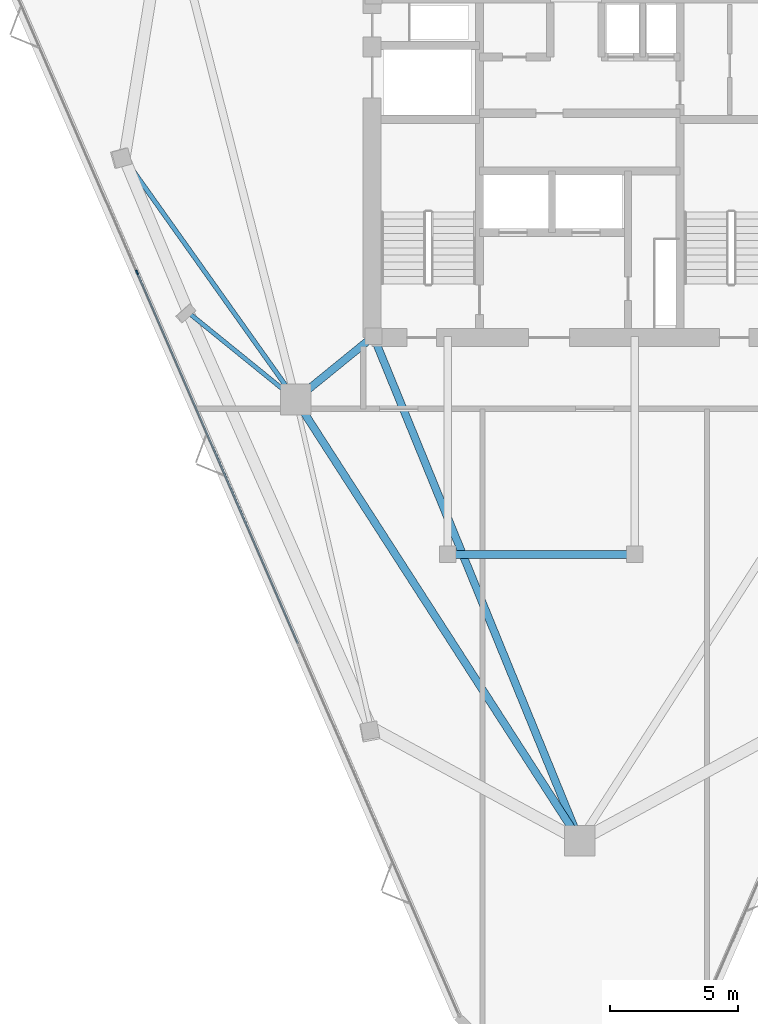
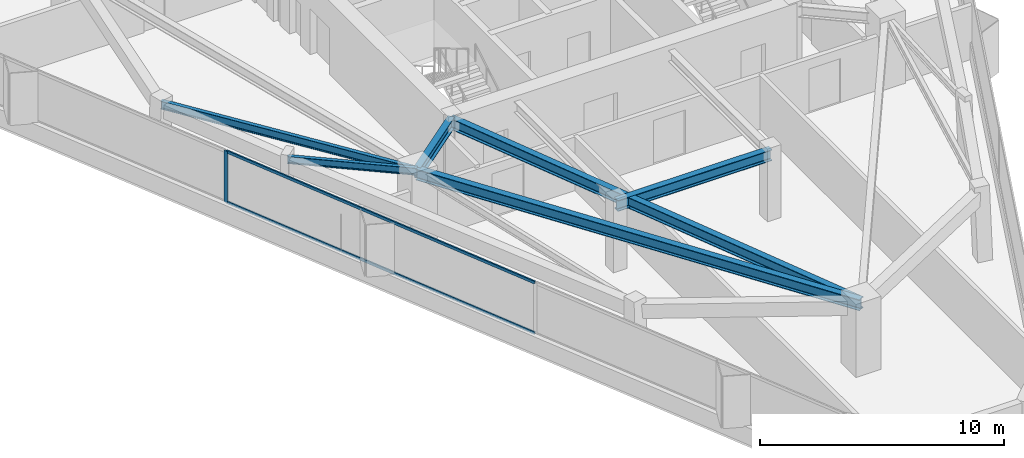
# One storey, part 3 of 11: 6 beams, 3 members, 1 element without a shape of its own.
"""IFC4 building model written with IfcOpenShell, lengths in metres."""

from ifc_helpers import new_model, si_unit, direction, frame, origin, origin_2d, place, context, subcontext, project, spatial, rectangle, i_section, extrude, material, layer, layer_set, material_profile, profile_set, type_object, element, aggregate, save


model = new_model("IFC4")

# Units and contexts
model_context = context("Model", 3, precision=1e-05, world=origin(), true_north=direction((0.0, 1.0)))
body_context = subcontext(model_context, "Body", "Model", "MODEL_VIEW")
ifc_project = project(units=[si_unit("LENGTHUNIT", "METRE"), si_unit("AREAUNIT", "SQUARE_METRE"), si_unit("VOLUMEUNIT", "CUBIC_METRE"), si_unit("PLANEANGLEUNIT", "RADIAN"), si_unit("MASSUNIT", "GRAM", prefix="KILO")], contexts=[model_context])

# Site, building, storey
site_placement = place(None, origin())
site = spatial("IfcSite", under=ifc_project, at=site_placement, CompositionType="ELEMENT")
building_placement = place(site_placement, origin())
building = spatial("IfcBuilding", under=site, at=building_placement, Name="Talyreon Biosciences Tower", CompositionType="ELEMENT")
storey_placement = place(building_placement, frame((0.0, 0.0, 242.550048828125)))
storey = spatial("IfcBuildingStorey", under=building, at=storey_placement, Name="L64", CompositionType="ELEMENT", Elevation=242.550048828125)

# Curtain wall, members
ifc_material_1 = material(Name="Thermally broken aluminium and low-E glazing", Category="aluminium")
ifc_layer = layer(ifc_material_1, 0.175048828125)
ifc_layer_set = layer_set([ifc_layer], Name="Thermally broken aluminium and low-E glazing")
curtain_wall_type = type_object("IfcCurtainWallType", Name="CurtainWall_Zone5CompLab", PredefinedType="NOTDEFINED", material=ifc_layer_set)
curtain_wall_placement = place(storey_placement, origin())
curtain_wall = element("IfcCurtainWall", 1, at=curtain_wall_placement, inside=storey, type_object=curtain_wall_type, Name="L64 Unitised Curtain Wall FCW-L64-00", PredefinedType="NOTDEFINED")
ifc_material_2 = material(Name="Anodised thermally broken aluminium", Category="aluminium")
ifc_material_profile_1 = material_profile(ifc_material_2, rectangle(XDim=0.06494140625, YDim=0.179931640625, at=origin_2d()), Name="ALUM MULLION 65x180")
ifc_profile_set_1 = profile_set([ifc_material_profile_1], Name="Anodised thermally broken aluminium")
member_type_1 = type_object("IfcMemberType", Name="CWMullion_65x180", PredefinedType="MULLION", material=ifc_profile_set_1)
member_1_placement = place(storey_placement, frame((48.72314453125, 63.8427734375, 0.81005859375), z_axis=(0.0, 0.0, 1.0), x_axis=(-0.917458244079, -0.397832088162, 0.0)))
member_1 = element("IfcMember", 2, at=member_1_placement, type_object=member_type_1, Name="CW6 mullion 3", PredefinedType="MULLION", context=body_context, shape_type="SweptSolid", body=[
    extrude(rectangle(XDim=0.06494140625, YDim=0.179931640625, at=origin_2d()), origin(), (0.0, 0.0, 1.0), 2.58984375),
])
ifc_material_profile_2 = material_profile(ifc_material_2, rectangle(XDim=0.06494140625, YDim=0.139892578125, at=origin_2d()), Name="ALUM TRANSOM 65x140")
ifc_profile_set_2 = profile_set([ifc_material_profile_2], Name="Anodised thermally broken aluminium")
member_type_2 = type_object("IfcMemberType", Name="CWTransom_65x140", PredefinedType="USERDEFINED", material=ifc_profile_set_2)
member_2_placement = place(storey_placement, frame((55.0, 49.367431640625, 0.842529296875), z_axis=(-0.397830656241, 0.917458864993, 0.0), x_axis=(-0.917458864993, -0.397830656241, 0.0)))
member_2 = element("IfcMember", 3, at=member_2_placement, type_object=member_type_2, Name="CW6 transom 2.1", ObjectType="TRANSOM", PredefinedType="USERDEFINED", context=body_context, shape_type="SweptSolid", body=[
    extrude(rectangle(XDim=0.06494140625, YDim=0.139892578125, at=origin_2d()), origin(), (0.0, 0.0, 1.0), 15.7451171875),
])
member_3_placement = place(storey_placement, frame((55.0, 49.367431640625, 3.367431640625), z_axis=(-0.397830656241, 0.917458864993, 0.0), x_axis=(-0.917458864993, -0.397830656241, 0.0)))
member_3 = element("IfcMember", 4, at=member_3_placement, type_object=member_type_2, Name="CW6 transom 2.2", ObjectType="TRANSOM", PredefinedType="USERDEFINED", context=body_context, shape_type="SweptSolid", body=[
    extrude(rectangle(XDim=0.06494140625, YDim=0.139892578125, at=origin_2d()), origin(), (0.0, 0.0, 1.0), 15.7451171875),
])
aggregate(curtain_wall, [member_1, member_2, member_3])

# Beams
ifc_material_3 = material(Name="Steel SM355", Category="steel")
ifc_material_profile_3 = material_profile(ifc_material_3, i_section(OverallWidth=0.300048828125, OverallDepth=0.550048828125, WebThickness=0.014892578125, FlangeThickness=0.029052734375, FilletRadius=0.027099609375, at=origin_2d()), Name="HE550B")
ifc_profile_set_3 = profile_set([ifc_material_profile_3], Name="Steel SM355")
beam_type_1 = type_object("IfcBeamType", Name="SteelBeam_HE550B", PredefinedType="BEAM", material=ifc_profile_set_3)
beam_1_placement = place(storey_placement, frame((54.913818359375, 58.88037109375, 3.125), z_axis=(0.541463723609, -0.840724114092, 0.0), x_axis=(0.840724114092, 0.541463723609, 0.0)))
element("IfcBeam", 5, at=beam_1_placement, inside=storey, type_object=beam_type_1, Name="L64 Mega-Ring Girder 6", PredefinedType="BEAM", context=body_context, shape_type="SweptSolid", body=[
    extrude(i_section(OverallWidth=0.300048828125, OverallDepth=0.550048828125, WebThickness=0.014892578125, FlangeThickness=0.029052734375, FilletRadius=0.027099609375, at=origin_2d()), origin(), (0.0, 0.0, 1.0), 20.474365234375),
])
beam_2_placement = place(storey_placement, frame((57.949951171875, 61.35009765625, 3.125), z_axis=(0.378547014545, -0.925582064314, 0.0), x_axis=(0.925582064314, 0.378547014545, 0.0)))
element("IfcBeam", 6, at=beam_2_placement, inside=storey, type_object=beam_type_1, Name="L64 Radial Primary Girder 1", PredefinedType="BEAM", context=body_context, shape_type="SweptSolid", body=[
    extrude(i_section(OverallWidth=0.300048828125, OverallDepth=0.550048828125, WebThickness=0.014892578125, FlangeThickness=0.029052734375, FilletRadius=0.027099609375, at=origin_2d()), origin(), (0.0, 0.0, 1.0), 21.265625),
])
beam_3_placement = place(storey_placement, frame((57.949951171875, 61.35009765625, 3.125), z_axis=(-0.775755154013, -0.631034025249, 0.0), x_axis=(0.631034025249, -0.775755154013, 0.0)))
element("IfcBeam", 7, at=beam_3_placement, inside=storey, type_object=beam_type_1, Name="L64 Radial Primary Girder 6", PredefinedType="BEAM", context=body_context, shape_type="SweptSolid", body=[
    extrude(i_section(OverallWidth=0.300048828125, OverallDepth=0.550048828125, WebThickness=0.014892578125, FlangeThickness=0.029052734375, FilletRadius=0.027099609375, at=origin_2d()), origin(), (0.0, 0.0, 1.0), 3.913818359375),
])
beam_4_placement = place(storey_placement, frame((60.85009765625, 52.840087890625, 3.125), z_axis=(1.0, 0.0, 0.0), x_axis=(0.0, 1.0, 0.0)))
element("IfcBeam", 8, at=beam_4_placement, inside=storey, type_object=beam_type_1, Name="L64 Crown Shaft Spine Girder S", PredefinedType="BEAM", context=body_context, shape_type="SweptSolid", body=[
    extrude(i_section(OverallWidth=0.300048828125, OverallDepth=0.550048828125, WebThickness=0.014892578125, FlangeThickness=0.029052734375, FilletRadius=0.027099609375, at=origin_2d()), origin(), (0.0, 0.0, 1.0), 7.2998046875),
])
ifc_material_profile_4 = material_profile(ifc_material_3, i_section(OverallWidth=0.169921875, OverallDepth=0.360107421875, WebThickness=0.008056640625, FlangeThickness=0.0126953125, FilletRadius=0.01806640625, at=origin_2d()), Name="IPE360")
ifc_profile_set_4 = profile_set([ifc_material_profile_4], Name="Steel SM355")
beam_type_2 = type_object("IfcBeamType", Name="SteelJoist_IPE360", PredefinedType="JOIST", material=ifc_profile_set_4)
beam_5_placement = place(storey_placement, frame((54.913818359375, 58.88037109375, 3.219970703125), z_axis=(-0.776746765697, 0.629813037321, 0.0), x_axis=(-0.629813037321, -0.776746765697, 0.0)))
element("IfcBeam", 9, at=beam_5_placement, inside=storey, type_object=beam_type_2, Name="L64 Radial Composite Floor Joist PL-SW", PredefinedType="JOIST", context=body_context, shape_type="SweptSolid", body=[
    extrude(i_section(OverallWidth=0.169921875, OverallDepth=0.360107421875, WebThickness=0.008056640625, FlangeThickness=0.0126953125, FilletRadius=0.01806640625, at=origin_2d()), origin(), (0.0, 0.0, 1.0), 5.39013671875),
])
ifc_material_profile_5 = material_profile(ifc_material_3, i_section(OverallWidth=0.179931640625, OverallDepth=0.39990234375, WebThickness=0.008544921875, FlangeThickness=0.013427734375, FilletRadius=0.02099609375, at=origin_2d()), Name="IPE400")
ifc_profile_set_5 = profile_set([ifc_material_profile_5], Name="Steel SM355")
beam_type_3 = type_object("IfcBeamType", Name="SteelJoist_IPE400", PredefinedType="JOIST", material=ifc_profile_set_5)
beam_6_placement = place(storey_placement, frame((54.913818359375, 58.88037109375, 3.199951171875), z_axis=(-0.579157190661, 0.815215890734, 0.0), x_axis=(-0.815215890734, -0.579157190661, 0.0)))
element("IfcBeam", 10, at=beam_6_placement, inside=storey, type_object=beam_type_3, Name="L64 Radial Composite Floor Joist PC-SW1", PredefinedType="JOIST", context=body_context, shape_type="SweptSolid", body=[
    extrude(i_section(OverallWidth=0.179931640625, OverallDepth=0.39990234375, WebThickness=0.008544921875, FlangeThickness=0.013427734375, FilletRadius=0.02099609375, at=origin_2d()), origin(), (0.0, 0.0, 1.0), 11.541015625),
])

save(model, "model.ifc")
